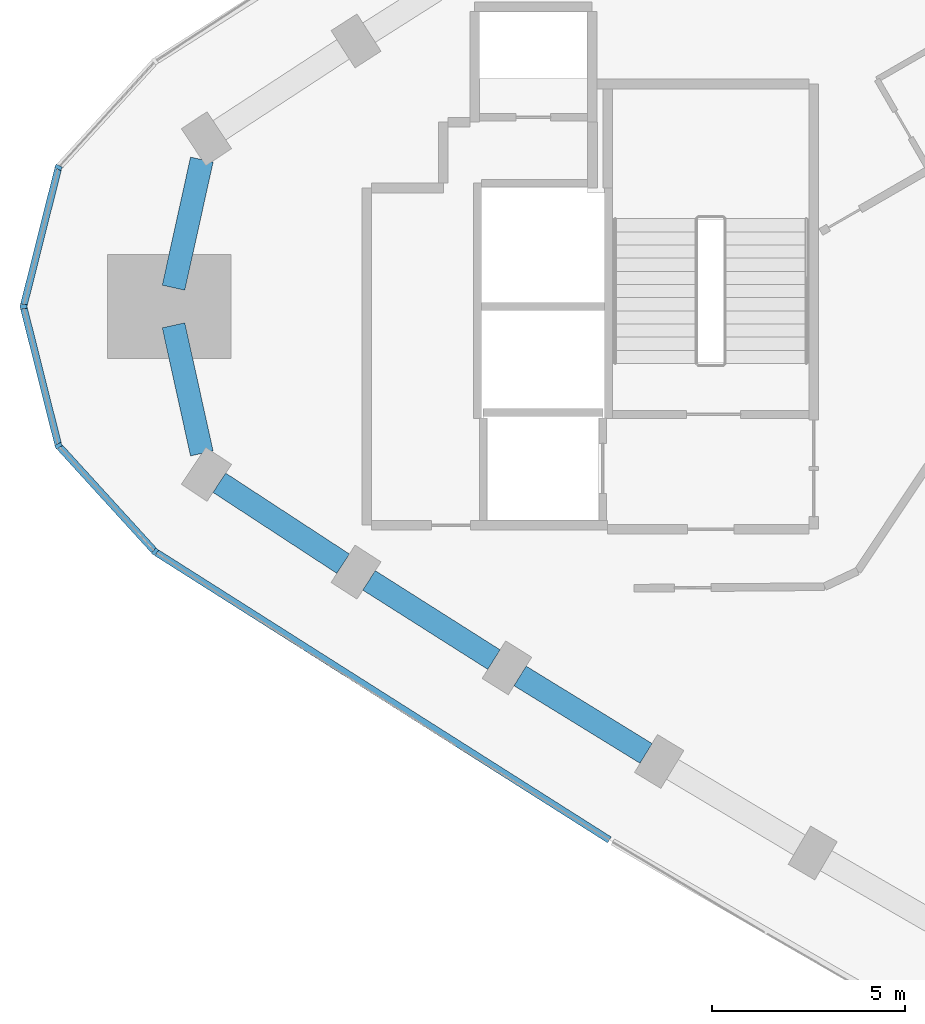
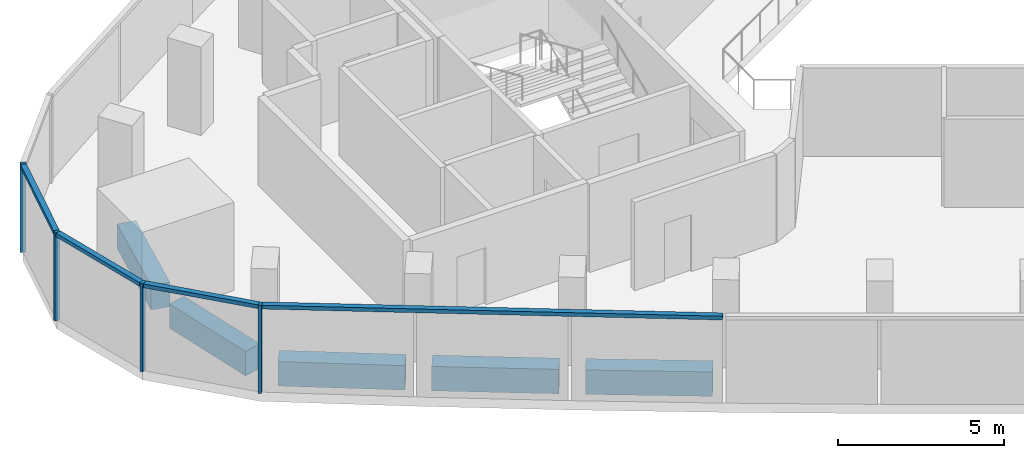
# One storey, part 2 of 11: 8 members, 5 beams, 2 elements without a shape of their own.
"""IFC4 building model written with IfcOpenShell, lengths in metres."""

from ifc_helpers import new_model, si_unit, direction, frame, origin, origin_2d, place, context, subcontext, project, spatial, rectangle, extrude, material, material_profile, profile_set, type_object, element, aggregate, save


model = new_model("IFC4")

# Units and contexts
model_context = context("Model", 3, precision=1e-05, world=origin(), true_north=direction((0.0, 1.0)))
body_context = subcontext(model_context, "Body", "Model", "MODEL_VIEW")
ifc_project = project(units=[si_unit("LENGTHUNIT", "METRE"), si_unit("AREAUNIT", "SQUARE_METRE"), si_unit("VOLUMEUNIT", "CUBIC_METRE"), si_unit("PLANEANGLEUNIT", "RADIAN"), si_unit("MASSUNIT", "GRAM", prefix="KILO")], contexts=[model_context])

# Site, building, storey
site_placement = place(None, origin())
site = spatial("IfcSite", under=ifc_project, at=site_placement, CompositionType="ELEMENT")
building_placement = place(site_placement, origin())
building = spatial("IfcBuilding", under=site, at=building_placement, Name="Tamra Quay Hotel Tower", CompositionType="ELEMENT")
storey_placement = place(building_placement, frame((0.0, 0.0, 190.0)))
storey = spatial("IfcBuildingStorey", under=building, at=storey_placement, Name="L47", CompositionType="ELEMENT", Elevation=190.0)

# Curtain wall, members
ifc_material_1 = material(Name="Aluminium 6063 anodised dark grey", Category="aluminium")
curtain_wall_type_1 = type_object("IfcCurtainWallType", Name="CW2 CURTAIN WALL", PredefinedType="NOTDEFINED", material=ifc_material_1)
curtain_wall_1_placement = place(storey_placement, origin())
curtain_wall_1 = element("IfcCurtainWall", 1, at=curtain_wall_1_placement, inside=storey, type_object=curtain_wall_type_1, Name="CW2 north-west face L47", PredefinedType="NOTDEFINED")
ifc_material_profile_1 = material_profile(ifc_material_1, rectangle(XDim=0.179931640625, YDim=0.10009765625, at=origin_2d()), Name="MULLION 100X180")
ifc_profile_set_1 = profile_set([ifc_material_profile_1], Name="Aluminium 6063 anodised dark grey")
member_type_1 = type_object("IfcMemberType", Name="MULLION CW2 Z4", PredefinedType="MULLION", material=ifc_profile_set_1)
member_1_placement = place(storey_placement, frame((-30.436767578125, 3.611328125, 0.0), z_axis=(0.0, 0.0, 1.0), x_axis=(-0.881097509676, 0.472934645002, 0.0)))
member_1 = element("IfcMember", 2, at=member_1_placement, type_object=member_type_1, Name="CW2 mullion L47.NW.11", PredefinedType="MULLION", context=body_context, shape_type="SweptSolid", body=[
    extrude(rectangle(XDim=0.179931640625, YDim=0.10009765625, at=origin_2d()), origin(), (0.0, 0.0, 1.0), 3.25),
])
member_2_placement = place(storey_placement, frame((-31.3447265625, 0.0, 0.0), z_axis=(0.0, 0.0, 1.0), x_axis=(-1.0, 0.0, 0.0)))
member_2 = element("IfcMember", 3, at=member_2_placement, type_object=member_type_1, Name="CW2 mullion L47.NW.12", PredefinedType="MULLION", context=body_context, shape_type="SweptSolid", body=[
    extrude(rectangle(XDim=0.179931640625, YDim=0.10009765625, at=origin_2d()), origin(), (0.0, 0.0, 1.0), 3.25),
])
member_3_placement = place(storey_placement, frame((-30.436767578125, -3.611328125, 0.0), z_axis=(0.0, 0.0, 1.0), x_axis=(-0.881097509676, -0.472934645002, 0.0)))
member_3 = element("IfcMember", 4, at=member_3_placement, type_object=member_type_1, Name="CW2 mullion L47.NW.13", PredefinedType="MULLION", context=body_context, shape_type="SweptSolid", body=[
    extrude(rectangle(XDim=0.179931640625, YDim=0.10009765625, at=origin_2d()), origin(), (0.0, 0.0, 1.0), 3.25),
])

# Curtain wall, member
curtain_wall_type_2 = type_object("IfcCurtainWallType", Name="CW3 CURTAIN WALL", PredefinedType="NOTDEFINED", material=ifc_material_1)
curtain_wall_2_placement = place(storey_placement, origin())
curtain_wall_2 = element("IfcCurtainWall", 5, at=curtain_wall_2_placement, inside=storey, type_object=curtain_wall_type_2, Name="CW3 south-west face L47", PredefinedType="NOTDEFINED")
ifc_material_profile_2 = material_profile(ifc_material_1, rectangle(XDim=0.179931640625, YDim=0.10009765625, at=origin_2d()), Name="MULLION 100X180")
ifc_profile_set_2 = profile_set([ifc_material_profile_2], Name="Aluminium 6063 anodised dark grey")
member_type_2 = type_object("IfcMemberType", Name="MULLION CW3 Z4", PredefinedType="MULLION", material=ifc_profile_set_2)
member_4_placement = place(storey_placement, frame((-27.928955078125, -6.36376953125, 0.0), z_axis=(0.0, 0.0, 1.0), x_axis=(-0.648381091282, -0.76131593998, 0.0)))
member_4 = element("IfcMember", 6, at=member_4_placement, type_object=member_type_2, Name="CW3 mullion L47.SW.1", PredefinedType="MULLION", context=body_context, shape_type="SweptSolid", body=[
    extrude(rectangle(XDim=0.179931640625, YDim=0.10009765625, at=origin_2d()), origin(), (0.0, 0.0, 1.0), 3.25),
])

# Beams
ifc_material_2 = material(Name="Concrete M60", Category="concrete")
ifc_material_profile_3 = material_profile(ifc_material_2, rectangle(XDim=0.60009765625, YDim=0.89990234375, at=origin_2d()), Name="SPANDREL BEAM RC 600x900")
ifc_profile_set_3 = profile_set([ifc_material_profile_3], Name="Concrete M60")
beam_type = type_object("IfcBeamType", Name="SPANDREL BEAM RC 600x900", PredefinedType="SPANDREL", material=ifc_profile_set_3)
for number, where, z_axis, x_axis, name in (
    (7, (-26.716552734375, 3.811767578125, -0.800048828125), (-0.215798858353, -0.976437838643, 0.0), (0.976437838643, -0.215798858353, 0.0), "BM-SP4-020-L47"),
    (8, (-27.451171875, -0.48779296875, -0.800048828125), (0.215798858353, -0.976437838643, 0.0), (0.976437838643, 0.215798858353, 0.0), "BM-SP4-021-L47"),
):
    element("IfcBeam", number, at=place(storey_placement, frame(where, z_axis=z_axis, x_axis=x_axis)), inside=storey, type_object=beam_type, Name=name, PredefinedType="SPANDREL", context=body_context, shape_type="SweptSolid", body=[
        extrude(rectangle(XDim=0.60009765625, YDim=0.89990234375, at=origin_2d()), origin(), (0.0, 0.0, 1.0), 3.404296875),
    ])
for number, where, z_axis, x_axis, name in (
    (9, (-26.26171875, -4.573486328125, -0.800048828125), (0.836969613974, -0.547249362983, 0.0), (0.547249362983, 0.836969613974, 0.0), "BM-SP4-022-L47"),
    (10, (-22.377197265625, -7.106689453125, -0.800048828125), (0.844469978785, -0.535602889211, 0.0), (0.535602889211, 0.844469978785, 0.0), "BM-SP4-023-L47"),
):
    element("IfcBeam", number, at=place(storey_placement, frame(where, z_axis=z_axis, x_axis=x_axis)), inside=storey, type_object=beam_type, Name=name, PredefinedType="SPANDREL", context=body_context, shape_type="SweptSolid", body=[
        extrude(rectangle(XDim=0.60009765625, YDim=0.89990234375, at=origin_2d()), origin(), (0.0, 0.0, 1.0), 3.837646484375),
    ])
beam_placement = place(storey_placement, frame((-18.4580078125, -9.585693359375, -0.800048828125), z_axis=(0.851817714835, -0.523838315411, 0.0), x_axis=(0.523838315411, 0.851817714835, 0.0)))
element("IfcBeam", 11, at=beam_placement, inside=storey, type_object=beam_type, Name="BM-SP4-024-L47", PredefinedType="SPANDREL", context=body_context, shape_type="SweptSolid", body=[
    extrude(rectangle(XDim=0.60009765625, YDim=0.89990234375, at=origin_2d()), origin(), (0.0, 0.0, 1.0), 3.837890625),
])

# Member
ifc_material_profile_4 = material_profile(ifc_material_1, rectangle(XDim=0.179931640625, YDim=0.139892578125, at=origin_2d()), Name="TRANSOM 180X140")
ifc_profile_set_4 = profile_set([ifc_material_profile_4], Name="Aluminium 6063 anodised dark grey")
member_type_3 = type_object("IfcMemberType", Name="TRANSOM CW2 Z4", PredefinedType="USERDEFINED", material=ifc_profile_set_4)
member_5_placement = place(storey_placement, frame((-30.448974609375, 3.562744140625, 3.179931640625), z_axis=(-0.243835376469, -0.969816636887, 0.0), x_axis=(0.969816636887, -0.243835376469, 0.0)))
member_5 = element("IfcMember", 12, at=member_5_placement, type_object=member_type_3, Name="CW2 transom L47.NW.11", ObjectType="TRANSOM", PredefinedType="USERDEFINED", context=body_context, shape_type="SweptSolid", body=[
    extrude(rectangle(XDim=0.179931640625, YDim=0.139892578125, at=origin_2d()), origin(), (0.0, 0.0, 1.0), 3.62353515625),
])

member_6_placement = place(storey_placement, frame((-31.33251953125, -0.048583984375, 3.179931640625), z_axis=(0.243835376469, -0.969816636887, 0.0), x_axis=(0.969816636887, 0.243835376469, 0.0)))
member_6 = element("IfcMember", 13, at=member_6_placement, type_object=member_type_3, Name="CW2 transom L47.NW.12", ObjectType="TRANSOM", PredefinedType="USERDEFINED", context=body_context, shape_type="SweptSolid", body=[
    extrude(rectangle(XDim=0.179931640625, YDim=0.139892578125, at=origin_2d()), origin(), (0.0, 0.0, 1.0), 3.62353515625),
])

member_7_placement = place(storey_placement, frame((-30.403076171875, -3.648193359375, 3.179931640625), z_axis=(0.673497359226, -0.739189628658, 0.0), x_axis=(0.739189628658, 0.673497359226, 0.0)))
member_7 = element("IfcMember", 14, at=member_7_placement, type_object=member_type_3, Name="CW2 transom L47.NW.13", ObjectType="TRANSOM", PredefinedType="USERDEFINED", context=body_context, shape_type="SweptSolid", body=[
    extrude(rectangle(XDim=0.179931640625, YDim=0.139892578125, at=origin_2d()), origin(), (0.0, 0.0, 1.0), 3.62353515625),
])

aggregate(curtain_wall_1, [member_1, member_5, member_2, member_6, member_3, member_7])

ifc_material_profile_5 = material_profile(ifc_material_1, rectangle(XDim=0.179931640625, YDim=0.139892578125, at=origin_2d()), Name="TRANSOM 180X140")
ifc_profile_set_5 = profile_set([ifc_material_profile_5], Name="Aluminium 6063 anodised dark grey")
member_type_4 = type_object("IfcMemberType", Name="TRANSOM CW3 Z4", PredefinedType="USERDEFINED", material=ifc_profile_set_5)
member_8_placement = place(storey_placement, frame((-27.88720703125, -6.39111328125, 3.179931640625), z_axis=(0.844483603588, -0.535581406764, 0.0), x_axis=(0.535581406764, 0.844483603588, 0.0)))
member_8 = element("IfcMember", 15, at=member_8_placement, type_object=member_type_4, Name="CW3 transom L47.SW.1", ObjectType="TRANSOM", PredefinedType="USERDEFINED", context=body_context, shape_type="SweptSolid", body=[
    extrude(rectangle(XDim=0.179931640625, YDim=0.139892578125, at=origin_2d()), origin(), (0.0, 0.0, 1.0), 13.910888671875),
])

aggregate(curtain_wall_2, [member_4, member_8])

save(model, "model.ifc")
